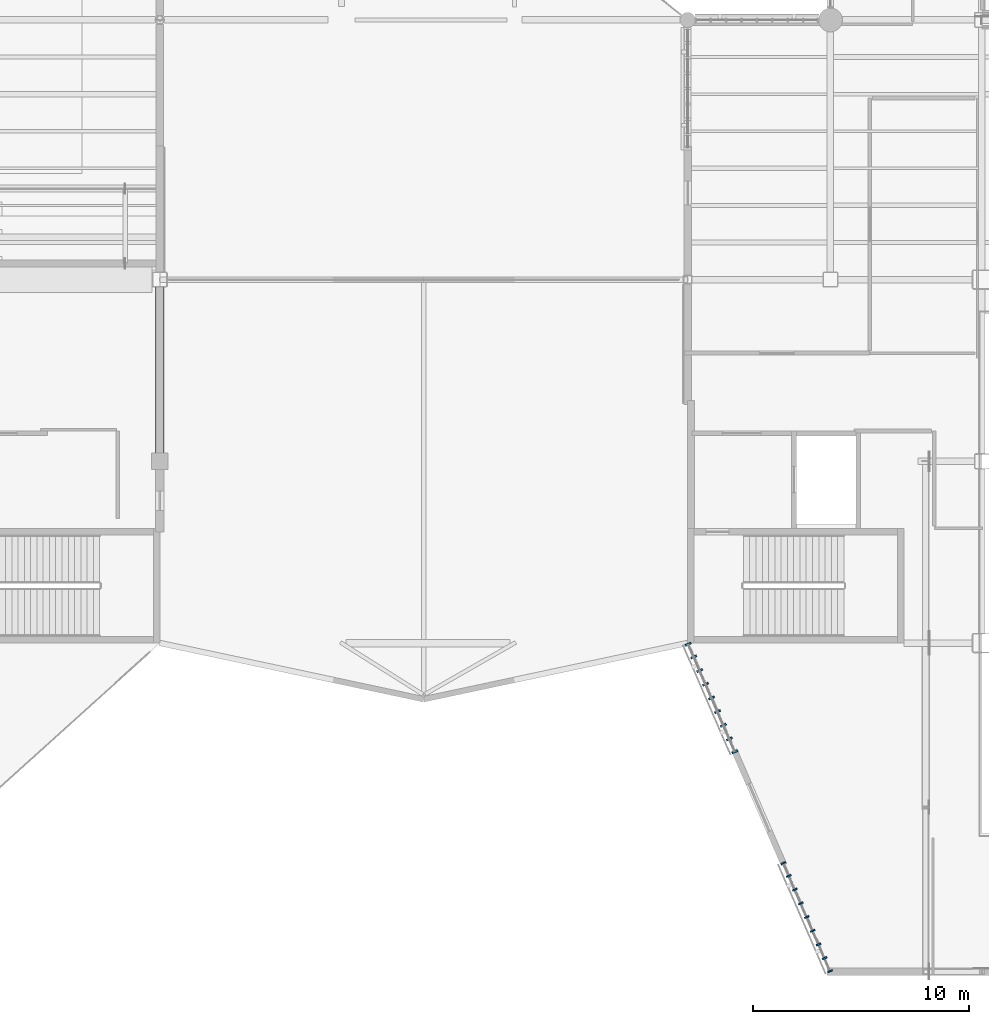
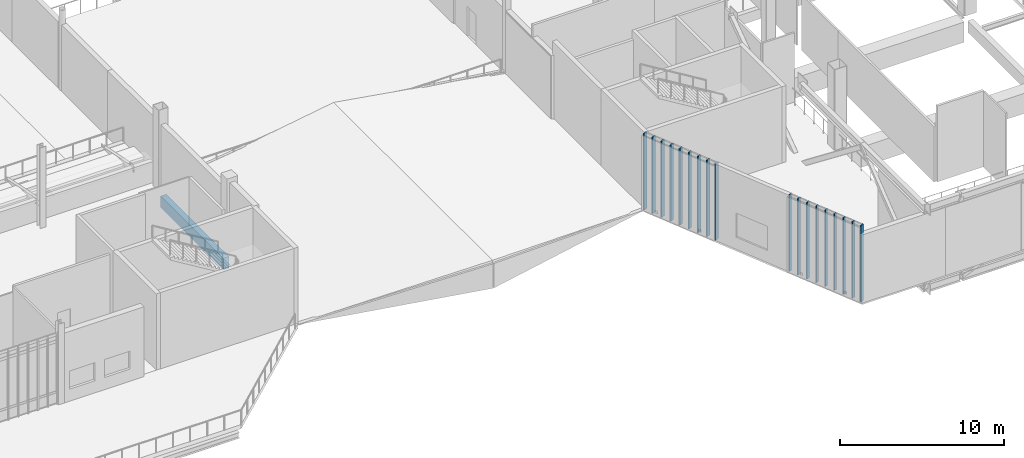
# One storey, part 19 of 135: 18 members, 1 beam, 2 elements without a shape of their own.
"""IFC4 building model written with IfcOpenShell, lengths in metres."""

from ifc_helpers import new_model, si_unit, direction, frame, origin, origin_2d, place, context, subcontext, project, spatial, rectangle, extrude, material, material_profile, profile_set, type_object, element, aggregate, save


model = new_model("IFC4")

# Units and contexts
model_context = context("Model", 3, precision=1e-05, world=origin(), true_north=direction((0.0, 1.0)))
body_context = subcontext(model_context, "Body", "Model", "MODEL_VIEW")
ifc_project = project(units=[si_unit("LENGTHUNIT", "METRE"), si_unit("AREAUNIT", "SQUARE_METRE"), si_unit("VOLUMEUNIT", "CUBIC_METRE"), si_unit("PLANEANGLEUNIT", "RADIAN"), si_unit("MASSUNIT", "GRAM", prefix="KILO")], contexts=[model_context])

# Site, building, storey
site_placement = place(None, origin())
site = spatial("IfcSite", under=ifc_project, at=site_placement, CompositionType="ELEMENT")
building_placement = place(site_placement, origin())
building = spatial("IfcBuilding", under=site, at=building_placement, Name="Larkvane Passage Sports Hall", CompositionType="ELEMENT")
storey_placement = place(building_placement, frame((0.0, 0.0, 10.800048828125)))
storey = spatial("IfcBuildingStorey", under=building, at=storey_placement, Name="L02", CompositionType="ELEMENT", Elevation=10.800048828125)

# Curtain wall, members
ifc_material_1 = material(Name="Thermally broken aluminium and low-E glazing", Category="aluminium")
curtain_wall_type_1 = type_object("IfcCurtainWallType", Name="CW-UNIT-VEIL", PredefinedType="USERDEFINED", material=ifc_material_1)
curtain_wall_1_placement = place(storey_placement, origin())
curtain_wall_1 = element("IfcCurtainWall", 1, at=curtain_wall_1_placement, inside=storey, type_object=curtain_wall_type_1, Name="Curtain wall CW5-L02-073", ObjectType="UNITISED CURTAIN WALL", PredefinedType="USERDEFINED")
ifc_material_2 = material(Name="Anodised aluminium 6063-T6", Category="aluminium")
ifc_material_profile_1 = material_profile(ifc_material_2, rectangle(XDim=0.074951171875, YDim=0.22509765625, at=origin_2d()), Name="ALU-MUL-75x225")
ifc_profile_set_1 = profile_set([ifc_material_profile_1], Name="Anodised aluminium 6063-T6")
member_type_1 = type_object("IfcMemberType", Name="CW-MUL-75x225", PredefinedType="MULLION", material=ifc_profile_set_1)
member_1_placement = place(storey_placement, frame((124.5849609375, 7.63427734375, 0.0), z_axis=(0.0, 0.0, 1.0), x_axis=(-0.398282537261, 0.917262787053, 0.0)))
member_1 = element("IfcMember", 2, at=member_1_placement, type_object=member_type_1, Name="CW-02 mullion 1", PredefinedType="MULLION", context=body_context, shape_type="SweptSolid", body=[
    extrude(rectangle(XDim=0.074951171875, YDim=0.22509765625, at=origin_2d()), origin(), (0.0, 0.0, 1.0), 5.699951171875),
])
member_2_placement = place(storey_placement, frame((124.324951171875, 8.2333984375, 0.0), z_axis=(0.0, 0.0, 1.0), x_axis=(-0.398282537261, 0.917262787053, 0.0)))
member_2 = element("IfcMember", 3, at=member_2_placement, type_object=member_type_1, Name="CW-02 mullion 2", PredefinedType="MULLION", context=body_context, shape_type="SweptSolid", body=[
    extrude(rectangle(XDim=0.074951171875, YDim=0.22509765625, at=origin_2d()), origin(), (0.0, 0.0, 1.0), 5.699951171875),
])
member_3_placement = place(storey_placement, frame((124.050048828125, 8.86669921875, 0.0), z_axis=(0.0, 0.0, 1.0), x_axis=(-0.398282537261, 0.917262787053, 0.0)))
member_3 = element("IfcMember", 4, at=member_3_placement, type_object=member_type_1, Name="CW-02 mullion 3", PredefinedType="MULLION", context=body_context, shape_type="SweptSolid", body=[
    extrude(rectangle(XDim=0.074951171875, YDim=0.22509765625, at=origin_2d()), origin(), (0.0, 0.0, 1.0), 5.699951171875),
])
member_4_placement = place(storey_placement, frame((123.77490234375, 9.5, 0.0), z_axis=(0.0, 0.0, 1.0), x_axis=(-0.398282537261, 0.917262787053, 0.0)))
member_4 = element("IfcMember", 5, at=member_4_placement, type_object=member_type_1, Name="CW-02 mullion 4", PredefinedType="MULLION", context=body_context, shape_type="SweptSolid", body=[
    extrude(rectangle(XDim=0.074951171875, YDim=0.22509765625, at=origin_2d()), origin(), (0.0, 0.0, 1.0), 5.699951171875),
])
member_5_placement = place(storey_placement, frame((123.5, 10.13330078125, 0.0), z_axis=(0.0, 0.0, 1.0), x_axis=(-0.398282537261, 0.917262787053, 0.0)))
member_5 = element("IfcMember", 6, at=member_5_placement, type_object=member_type_1, Name="CW-02 mullion 5", PredefinedType="MULLION", context=body_context, shape_type="SweptSolid", body=[
    extrude(rectangle(XDim=0.074951171875, YDim=0.22509765625, at=origin_2d()), origin(), (0.0, 0.0, 1.0), 5.699951171875),
])
member_6_placement = place(storey_placement, frame((123.22509765625, 10.7666015625, 0.0), z_axis=(0.0, 0.0, 1.0), x_axis=(-0.398282537261, 0.917262787053, 0.0)))
member_6 = element("IfcMember", 7, at=member_6_placement, type_object=member_type_1, Name="CW-02 mullion 6", PredefinedType="MULLION", context=body_context, shape_type="SweptSolid", body=[
    extrude(rectangle(XDim=0.074951171875, YDim=0.22509765625, at=origin_2d()), origin(), (0.0, 0.0, 1.0), 5.699951171875),
])
member_7_placement = place(storey_placement, frame((122.949951171875, 11.400146484375, 0.0), z_axis=(0.0, 0.0, 1.0), x_axis=(-0.398282537261, 0.917262787053, 0.0)))
member_7 = element("IfcMember", 8, at=member_7_placement, type_object=member_type_1, Name="CW-02 mullion 7", PredefinedType="MULLION", context=body_context, shape_type="SweptSolid", body=[
    extrude(rectangle(XDim=0.074951171875, YDim=0.22509765625, at=origin_2d()), origin(), (0.0, 0.0, 1.0), 5.699951171875),
])
member_8_placement = place(storey_placement, frame((122.675048828125, 12.033447265625, 0.0), z_axis=(0.0, 0.0, 1.0), x_axis=(-0.398282537261, 0.917262787053, 0.0)))
member_8 = element("IfcMember", 9, at=member_8_placement, type_object=member_type_1, Name="CW-02 mullion 8", PredefinedType="MULLION", context=body_context, shape_type="SweptSolid", body=[
    extrude(rectangle(XDim=0.074951171875, YDim=0.22509765625, at=origin_2d()), origin(), (0.0, 0.0, 1.0), 5.699951171875),
])
member_9_placement = place(storey_placement, frame((122.4150390625, 12.63232421875, 0.0), z_axis=(0.0, 0.0, 1.0), x_axis=(-0.398282537261, 0.917262787053, 0.0)))
member_9 = element("IfcMember", 10, at=member_9_placement, type_object=member_type_1, Name="CW-02 mullion 9", PredefinedType="MULLION", context=body_context, shape_type="SweptSolid", body=[
    extrude(rectangle(XDim=0.074951171875, YDim=0.22509765625, at=origin_2d()), origin(), (0.0, 0.0, 1.0), 5.699951171875),
])
aggregate(curtain_wall_1, [member_1, member_2, member_3, member_4, member_5, member_6, member_7, member_8, member_9])

curtain_wall_type_2 = type_object("IfcCurtainWallType", Name="CW-STICK-FOYER", PredefinedType="USERDEFINED", material=ifc_material_1)
curtain_wall_2_placement = place(storey_placement, origin())
curtain_wall_2 = element("IfcCurtainWall", 11, at=curtain_wall_2_placement, inside=storey, type_object=curtain_wall_type_2, Name="Curtain wall CW5-L02-074", ObjectType="STICK CURTAIN WALL", PredefinedType="USERDEFINED")
ifc_material_profile_2 = material_profile(ifc_material_2, rectangle(XDim=0.090087890625, YDim=0.280029296875, at=origin_2d()), Name="ALU-MUL-90x280")
ifc_profile_set_2 = profile_set([ifc_material_profile_2], Name="Anodised aluminium 6063-T6")
member_type_2 = type_object("IfcMemberType", Name="CW-MUL-90x280", PredefinedType="MULLION", material=ifc_profile_set_2)
member_10_placement = place(storey_placement, frame((120.18212890625, 17.774658203125, 0.0), z_axis=(0.0, 0.0, 1.0), x_axis=(-0.398288959012, 0.917259998653, 0.0)))
member_10 = element("IfcMember", 12, at=member_10_placement, type_object=member_type_2, Name="CW-03 mullion 1", PredefinedType="MULLION", context=body_context, shape_type="SweptSolid", body=[
    extrude(rectangle(XDim=0.090087890625, YDim=0.280029296875, at=origin_2d()), origin(), (0.0, 0.0, 1.0), 5.679931640625),
])
member_11_placement = place(storey_placement, frame((119.925537109375, 18.365478515625, 0.0), z_axis=(0.0, 0.0, 1.0), x_axis=(-0.398288959012, 0.917259998653, 0.0)))
member_11 = element("IfcMember", 13, at=member_11_placement, type_object=member_type_2, Name="CW-03 mullion 2", PredefinedType="MULLION", context=body_context, shape_type="SweptSolid", body=[
    extrude(rectangle(XDim=0.090087890625, YDim=0.280029296875, at=origin_2d()), origin(), (0.0, 0.0, 1.0), 5.679931640625),
])
member_12_placement = place(storey_placement, frame((119.651123046875, 18.99755859375, 0.0), z_axis=(0.0, 0.0, 1.0), x_axis=(-0.398288959012, 0.917259998653, 0.0)))
member_12 = element("IfcMember", 14, at=member_12_placement, type_object=member_type_2, Name="CW-03 mullion 3", PredefinedType="MULLION", context=body_context, shape_type="SweptSolid", body=[
    extrude(rectangle(XDim=0.090087890625, YDim=0.280029296875, at=origin_2d()), origin(), (0.0, 0.0, 1.0), 5.679931640625),
])
member_13_placement = place(storey_placement, frame((119.376708984375, 19.629638671875, 0.0), z_axis=(0.0, 0.0, 1.0), x_axis=(-0.398288959012, 0.917259998653, 0.0)))
member_13 = element("IfcMember", 15, at=member_13_placement, type_object=member_type_2, Name="CW-03 mullion 4", PredefinedType="MULLION", context=body_context, shape_type="SweptSolid", body=[
    extrude(rectangle(XDim=0.090087890625, YDim=0.280029296875, at=origin_2d()), origin(), (0.0, 0.0, 1.0), 5.679931640625),
])
member_14_placement = place(storey_placement, frame((119.10205078125, 20.26171875, 0.0), z_axis=(0.0, 0.0, 1.0), x_axis=(-0.398288959012, 0.917259998653, 0.0)))
member_14 = element("IfcMember", 16, at=member_14_placement, type_object=member_type_2, Name="CW-03 mullion 5", PredefinedType="MULLION", context=body_context, shape_type="SweptSolid", body=[
    extrude(rectangle(XDim=0.090087890625, YDim=0.280029296875, at=origin_2d()), origin(), (0.0, 0.0, 1.0), 5.679931640625),
])
member_15_placement = place(storey_placement, frame((118.82763671875, 20.893798828125, 0.0), z_axis=(0.0, 0.0, 1.0), x_axis=(-0.398288959012, 0.917259998653, 0.0)))
member_15 = element("IfcMember", 17, at=member_15_placement, type_object=member_type_2, Name="CW-03 mullion 6", PredefinedType="MULLION", context=body_context, shape_type="SweptSolid", body=[
    extrude(rectangle(XDim=0.090087890625, YDim=0.280029296875, at=origin_2d()), origin(), (0.0, 0.0, 1.0), 5.679931640625),
])
member_16_placement = place(storey_placement, frame((118.55322265625, 21.52587890625, 0.0), z_axis=(0.0, 0.0, 1.0), x_axis=(-0.398288959012, 0.917259998653, 0.0)))
member_16 = element("IfcMember", 18, at=member_16_placement, type_object=member_type_2, Name="CW-03 mullion 7", PredefinedType="MULLION", context=body_context, shape_type="SweptSolid", body=[
    extrude(rectangle(XDim=0.090087890625, YDim=0.280029296875, at=origin_2d()), origin(), (0.0, 0.0, 1.0), 5.679931640625),
])
member_17_placement = place(storey_placement, frame((118.27880859375, 22.157958984375, 0.0), z_axis=(0.0, 0.0, 1.0), x_axis=(-0.398288959012, 0.917259998653, 0.0)))
member_17 = element("IfcMember", 19, at=member_17_placement, type_object=member_type_2, Name="CW-03 mullion 8", PredefinedType="MULLION", context=body_context, shape_type="SweptSolid", body=[
    extrude(rectangle(XDim=0.090087890625, YDim=0.280029296875, at=origin_2d()), origin(), (0.0, 0.0, 1.0), 5.679931640625),
])
member_18_placement = place(storey_placement, frame((118.022216796875, 22.748779296875, 0.0), z_axis=(0.0, 0.0, 1.0), x_axis=(-0.398288959012, 0.917259998653, 0.0)))
member_18 = element("IfcMember", 20, at=member_18_placement, type_object=member_type_2, Name="CW-03 mullion 9", PredefinedType="MULLION", context=body_context, shape_type="SweptSolid", body=[
    extrude(rectangle(XDim=0.090087890625, YDim=0.280029296875, at=origin_2d()), origin(), (0.0, 0.0, 1.0), 5.679931640625),
])
aggregate(curtain_wall_2, [member_10, member_11, member_12, member_13, member_14, member_15, member_16, member_17, member_18])

# Beam
ifc_material_3 = material(Name="Concrete C40/50", Category="concrete")
ifc_material_profile_3 = material_profile(ifc_material_3, rectangle(XDim=0.39990234375, YDim=0.85009765625, at=origin_2d()), Name="RC-SP-400x850")
ifc_profile_set_3 = profile_set([ifc_material_profile_3], Name="Concrete C40/50")
beam_type = type_object("IfcBeamType", Name="SP-RC-400x850", PredefinedType="SPANDREL", material=ifc_profile_set_3)
beam_placement = place(storey_placement, frame((93.60009765625, 31.574951171875, -0.844970703125), z_axis=(0.0, 1.0, 0.0), x_axis=(-1.0, 0.0, 0.0)))
element("IfcBeam", 21, at=beam_placement, inside=storey, type_object=beam_type, Name="Girder BM5-Y-L02-13-0770", PredefinedType="SPANDREL", context=body_context, shape_type="SweptSolid", body=[
    extrude(rectangle(XDim=0.39990234375, YDim=0.85009765625, at=origin_2d()), origin(), (0.0, 0.0, 1.0), 7.675048828125),
])

save(model, "model.ifc")
